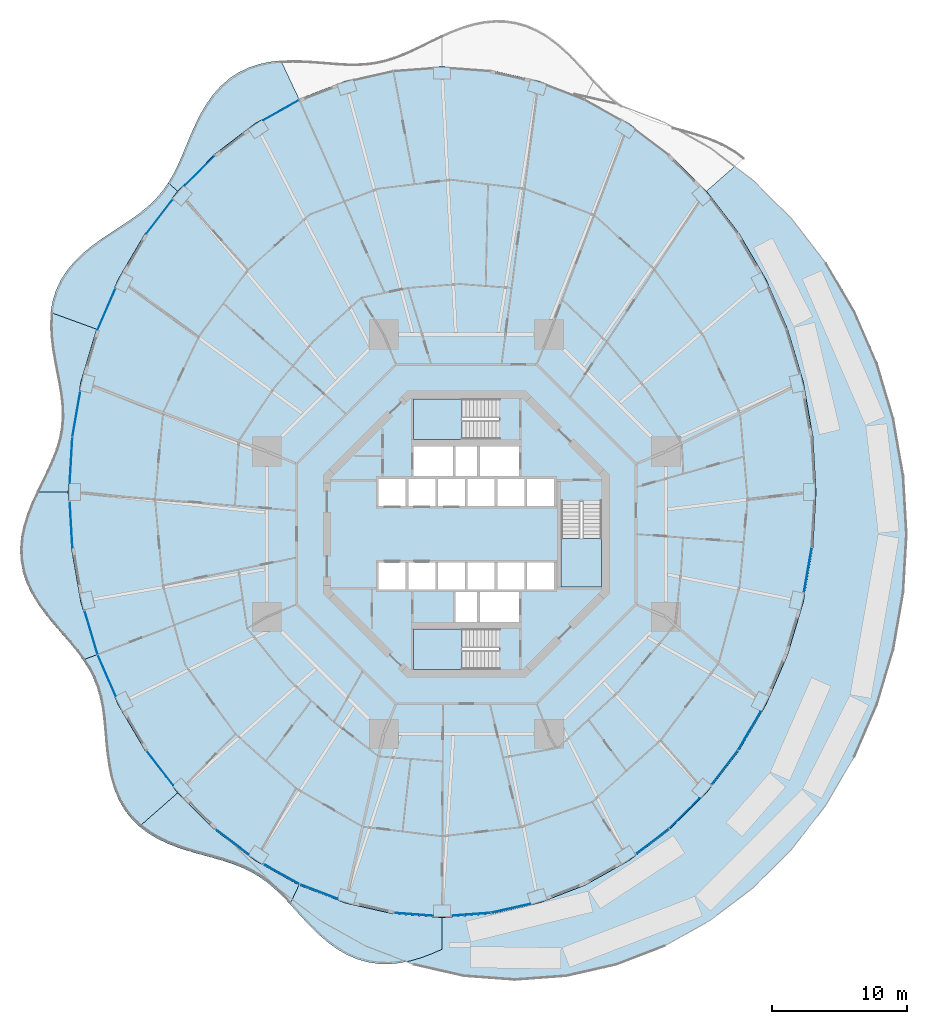
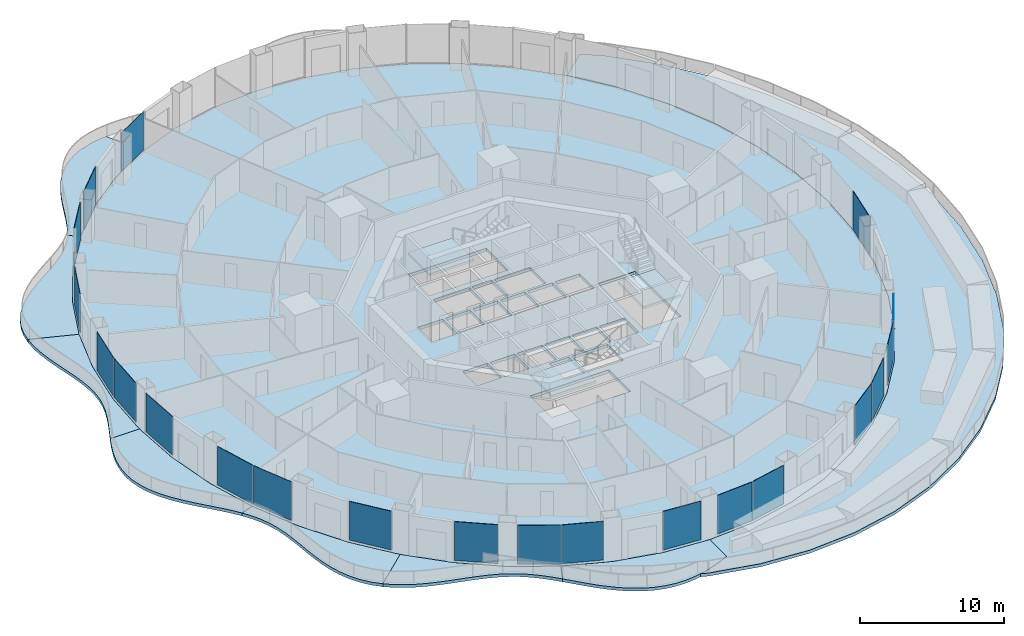
# One storey, part 12 of 22: 21 plates, 12 slabs, 24 elements without a shape of their own.
"""IFC4 building model written with IfcOpenShell, lengths in metres."""

from ifc_helpers import new_model, si_unit, direction, frame, origin, origin_2d, place, context, subcontext, project, spatial, polyline, rectangle, outline, extrude, material, layer, layer_set, type_object, element, aggregate, save


model = new_model("IFC4")

# Units and contexts
model_context = context("Model", 3, precision=1e-05, world=origin(), true_north=direction((0.0, 1.0)))
body_context = subcontext(model_context, "Body", "Model", "MODEL_VIEW")
ifc_project = project(units=[si_unit("LENGTHUNIT", "METRE"), si_unit("AREAUNIT", "SQUARE_METRE"), si_unit("VOLUMEUNIT", "CUBIC_METRE"), si_unit("PLANEANGLEUNIT", "RADIAN"), si_unit("MASSUNIT", "GRAM", prefix="KILO")], contexts=[model_context])

# Site, building, storey
site_placement = place(None, origin())
site = spatial("IfcSite", under=ifc_project, at=site_placement, CompositionType="ELEMENT")
building_placement = place(site_placement, origin())
building = spatial("IfcBuilding", under=site, at=building_placement, Name="Nagisa Residences", CompositionType="ELEMENT")
storey_placement = place(building_placement, frame((0.0, 0.0, 73.300048828125)))
storey = spatial("IfcBuildingStorey", under=building, at=storey_placement, Name="L17", CompositionType="ELEMENT", Elevation=73.300048828125)

# Slabs
ifc_material_1 = material(Name="Concrete C40/50", Category="concrete")
ifc_layer_1 = layer(ifc_material_1, 0.25)
ifc_layer_set_1 = layer_set([ifc_layer_1], Name="BALCONY SLAB 250")
slab_type_1 = type_object("IfcSlabType", Name="BALCONY SLAB 250", PredefinedType="FLOOR", material=ifc_layer_set_1)
slab_1_placement = place(storey_placement, frame((0.0, 0.0, -0.25)))
element("IfcSlab", 1, at=slab_1_placement, inside=storey, type_object=slab_type_1, Name="slab:L17:bal05", PredefinedType="FLOOR", context=body_context, shape_type="SweptSolid", body=[
    extrude(outline(polyline([(-13.7373046875, 35.074462890625), (-14.5791015625, 34.97509765625), (-15.394775390625, 34.796142578125), (-16.173095703125, 34.528564453125), (-16.90380859375, 34.1689453125), (-17.578857421875, 33.717529296875), (-18.19287109375, 33.179931640625), (-18.74365234375, 32.565185546875), (-19.23291015625, 31.885986328125), (-19.66552734375, 31.15771484375), (-20.050048828125, 30.396728515625), (-20.397705078125, 29.620361328125), (-20.7216796875, 28.844970703125), (-21.037109375, 28.085693359375), (-21.359130859375, 27.35498046875), (-21.702392578125, 26.66259765625), (-22.079833984375, 26.01416015625), (-21.38330078125, 25.402099609375), (-18.65966796875, 28.1201171875), (-15.6474609375, 30.410400390625), (-12.3984375, 32.233642578125), (-13.7373046875, 35.074462890625)])), origin(), (0.0, 0.0, 1.0), 0.25),
])
slab_2_placement = place(storey_placement, frame((0.0, 0.0, -0.25)))
element("IfcSlab", 2, at=slab_2_placement, inside=storey, type_object=slab_type_1, Name="slab:L17:bal06", PredefinedType="FLOOR", context=body_context, shape_type="SweptSolid", body=[
    extrude(outline(polyline([(-22.079833984375, 26.01416015625), (-22.5234375, 25.3837890625), (-23.023681640625, 24.802734375), (-23.583984375, 24.265380859375), (-24.2021484375, 23.7626953125), (-24.87109375, 23.28271484375), (-25.578857421875, 22.812255859375), (-26.309326171875, 22.337890625), (-27.04345703125, 21.845703125), (-27.76025390625, 21.32421875), (-28.438232421875, 20.763427734375), (-29.05712890625, 20.15673828125), (-29.599365234375, 19.50048828125), (-30.050048828125, 18.794189453125), (-30.400390625, 18.040771484375), (-30.646240234375, 17.24560546875), (-30.7890625, 16.41650390625), (-27.386962890625, 15.177978515625), (-25.78466796875, 18.875244140625), (-23.77197265625, 22.302734375), (-21.38330078125, 25.402099609375), (-22.079833984375, 26.01416015625)])), origin(), (0.0, 0.0, 1.0), 0.25),
])
slab_3_placement = place(storey_placement, frame((0.0, 0.0, -0.25)))
element("IfcSlab", 3, at=slab_3_placement, inside=storey, type_object=slab_type_1, Name="slab:L17:bal07", PredefinedType="FLOOR", context=body_context, shape_type="SweptSolid", body=[
    extrude(outline(polyline([(-30.7890625, 16.41650390625), (-30.837158203125, 15.53466796875), (-30.7978515625, 14.63720703125), (-30.69091796875, 13.73486328125), (-30.53955078125, 12.837158203125), (-30.368896484375, 11.9521484375), (-30.204833984375, 11.085693359375), (-30.0712890625, 10.24072265625), (-29.989501953125, 9.41796875), (-29.975830078125, 8.615234375), (-30.041259765625, 7.828857421875), (-30.189208984375, 7.052734375), (-30.4169921875, 6.281005859375), (-30.71484375, 5.5068359375), (-31.06640625, 4.724365234375), (-31.451416015625, 3.928955078125), (-31.844970703125, 3.11767578125), (-29.4951171875, 3.11767578125), (-29.258056640625, 7.231201171875), (-28.55126953125, 11.2744140625), (-27.386962890625, 15.177978515625), (-30.7890625, 16.41650390625)])), origin(), (0.0, 0.0, 1.0), 0.25),
])
slab_4_placement = place(storey_placement, frame((0.0, 0.0, -0.25)))
element("IfcSlab", 4, at=slab_4_placement, inside=storey, type_object=slab_type_1, Name="slab:L17:bal08", PredefinedType="FLOOR", context=body_context, shape_type="SweptSolid", body=[
    extrude(outline(polyline([(-31.844970703125, 3.11767578125), (-32.220947265625, 2.2900390625), (-32.55322265625, 1.447265625), (-32.817138671875, 0.593017578125), (-32.99169921875, -0.267333984375), (-33.061279296875, -1.127197265625), (-33.01611328125, -1.979248046875), (-32.852783203125, -2.816650390625), (-32.57568359375, -3.632568359375), (-32.195068359375, -4.4228515625), (-31.7275390625, -5.184326171875), (-31.194091796875, -5.9169921875), (-30.619140625, -6.623046875), (-30.0283203125, -7.3076171875), (-29.447021484375, -7.977783203125), (-28.89794921875, -8.642578125), (-28.401123046875, -9.311767578125), (-27.386962890625, -8.942626953125), (-28.55126953125, -5.0390625), (-29.258056640625, -0.995849609375), (-29.4951171875, 3.11767578125), (-31.844970703125, 3.11767578125)])), origin(), (0.0, 0.0, 1.0), 0.25),
])
slab_5_placement = place(storey_placement, frame((0.0, 0.0, -0.25)))
element("IfcSlab", 5, at=slab_5_placement, inside=storey, type_object=slab_type_1, Name="slab:L17:bal09", PredefinedType="FLOOR", context=body_context, shape_type="SweptSolid", body=[
    extrude(outline(polyline([(-28.401123046875, -9.311767578125), (-27.982421875, -9.973876953125), (-27.6337890625, -10.658203125), (-27.35693359375, -11.371337890625), (-27.1474609375, -12.117919921875), (-26.99658203125, -12.89990234375), (-26.889892578125, -13.71630859375), (-26.809814453125, -14.562255859375), (-26.735595703125, -15.430419921875), (-26.646484375, -16.31005859375), (-26.521240234375, -17.188720703125), (-26.34130859375, -18.051513671875), (-26.09033203125, -18.88427734375), (-25.7568359375, -19.672607421875), (-25.333740234375, -20.403564453125), (-24.819580078125, -21.0673828125), (-24.21728515625, -21.6572265625), (-21.38330078125, -19.166748046875), (-23.77197265625, -16.0673828125), (-25.78466796875, -12.639892578125), (-27.386962890625, -8.942626953125), (-28.401123046875, -9.311767578125)])), origin(), (0.0, 0.0, 1.0), 0.25),
])
slab_6_placement = place(storey_placement, frame((0.0, 0.0, -0.25)))
element("IfcSlab", 6, at=slab_6_placement, inside=storey, type_object=slab_type_1, Name="slab:L17:bal10", PredefinedType="FLOOR", context=body_context, shape_type="SweptSolid", body=[
    extrude(outline(polyline([(-24.21728515625, -21.6572265625), (-23.569091796875, -22.148193359375), (-22.859130859375, -22.57080078125), (-22.1005859375, -22.930419921875), (-21.30810546875, -23.2353515625), (-20.497802734375, -23.497314453125), (-19.6845703125, -23.730224609375), (-18.882568359375, -23.949951171875), (-18.103271484375, -24.172607421875), (-17.355712890625, -24.41357421875), (-16.645751953125, -24.6875), (-15.97509765625, -25.006103515625), (-15.342529296875, -25.37744140625), (-14.7431640625, -25.805908203125), (-14.170166015625, -26.291259765625), (-13.61376953125, -26.828857421875), (-13.063232421875, -27.4091796875), (-12.3984375, -25.998291015625), (-15.6474609375, -24.175048828125), (-18.65966796875, -21.884765625), (-21.38330078125, -19.166748046875), (-24.21728515625, -21.6572265625)])), origin(), (0.0, 0.0, 1.0), 0.25),
])
slab_7_placement = place(storey_placement, frame((0.0, 0.0, -0.25)))
element("IfcSlab", 7, at=slab_7_placement, inside=storey, type_object=slab_type_1, Name="slab:L17:bal11", PredefinedType="FLOOR", context=body_context, shape_type="SweptSolid", body=[
    extrude(outline(polyline([(-13.063232421875, -27.4091796875), (-12.528564453125, -27.996337890625), (-11.979736328125, -28.59619140625), (-11.408935546875, -29.19140625), (-10.8095703125, -29.763916015625), (-10.17724609375, -30.295654296875), (-9.510009765625, -30.769287109375), (-8.8076171875, -31.169189453125), (-8.073486328125, -31.483154296875), (-7.311767578125, -31.70263671875), (-6.529296875, -31.822509765625), (-5.73291015625, -31.843017578125), (-4.930908203125, -31.768310546875), (-4.13037109375, -31.607421875), (-3.33837890625, -31.372802734375), (-2.560302734375, -31.080078125), (-1.800048828125, -30.747314453125), (-1.800048828125, -28.397216796875), (-5.4150390625, -28.127685546875), (-8.968017578125, -27.323486328125), (-12.3984375, -25.998291015625), (-13.063232421875, -27.4091796875)])), origin(), (0.0, 0.0, 1.0), 0.25),
])

# Curtain wall, plate
ifc_material_2 = material(Name="Concrete-coloured aluminium curtain wall system", Category="concrete")
ifc_layer_2 = layer(ifc_material_2, 0.159912109375)
ifc_layer_set_2 = layer_set([ifc_layer_2], Name="CW1 CURTAIN WALL")
curtain_wall_type = type_object("IfcCurtainWallType", Name="CW1 CURTAIN WALL", PredefinedType="NOTDEFINED", material=ifc_layer_set_2)
curtain_wall_1_placement = place(storey_placement, origin())
curtain_wall_1 = element("IfcCurtainWall", 8, at=curtain_wall_1_placement, inside=storey, type_object=curtain_wall_type, Name="cw:CW1:L17:15", PredefinedType="NOTDEFINED")
ifc_material_3 = material(Name="Clear laminated glass", Category="glass")
ifc_layer_3 = layer(ifc_material_3, 0.028076171875)
ifc_layer_set_3 = layer_set([ifc_layer_3], Name="CW1 GLASS PANEL")
plate_type = type_object("IfcPlateType", Name="CW1 GLASS PANEL", PredefinedType="CURTAIN_PANEL", material=ifc_layer_set_3)
plate_1_placement = place(storey_placement, frame((-13.7265625, 31.396728515625, 0.14990234375), z_axis=(0.0, 0.0, 1.0), x_axis=(-0.872072377523, -0.489376918501, 0.0)))
plate_1 = element("IfcPlate", 9, at=plate_1_placement, type_object=plate_type, Name="CW1 panel", PredefinedType="CURTAIN_PANEL", context=body_context, shape_type="SweptSolid", body=[
    extrude(rectangle(XDim=3.015625, YDim=0.028076171875, at=origin_2d()), origin(), (0.0, 0.0, 1.0), 3.2900390625),
])
aggregate(curtain_wall_1, [plate_1])

curtain_wall_2_placement = place(storey_placement, origin())
curtain_wall_2 = element("IfcCurtainWall", 10, at=curtain_wall_2_placement, inside=storey, type_object=curtain_wall_type, Name="cw:CW1:L17:17", PredefinedType="NOTDEFINED")
plate_2_placement = place(storey_placement, frame((-19.756103515625, 26.912841796875, 0.14990234375), z_axis=(0.0, 0.0, 1.0), x_axis=(-0.707835924016, -0.706376885714, 0.0)))
plate_2 = element("IfcPlate", 11, at=plate_2_placement, type_object=plate_type, Name="CW1 panel", PredefinedType="CURTAIN_PANEL", context=body_context, shape_type="SweptSolid", body=[
    extrude(rectangle(XDim=3.137939453125, YDim=0.028076171875, at=origin_2d()), origin(), (0.0, 0.0, 1.0), 3.2900390625),
])
aggregate(curtain_wall_2, [plate_2])

curtain_wall_3_placement = place(storey_placement, origin())
curtain_wall_3 = element("IfcCurtainWall", 12, at=curtain_wall_3_placement, inside=storey, type_object=curtain_wall_type, Name="cw:CW1:L17:18", PredefinedType="NOTDEFINED")
plate_3_placement = place(storey_placement, frame((-22.73095703125, 23.5224609375, 0.14990234375), z_axis=(0.0, 0.0, 1.0), x_axis=(-0.610429828235, -0.792070340816, 0.0)))
plate_3 = element("IfcPlate", 13, at=plate_3_placement, type_object=plate_type, Name="CW1 panel", PredefinedType="CURTAIN_PANEL", context=body_context, shape_type="SweptSolid", body=[
    extrude(rectangle(XDim=3.202880859375, YDim=0.028076171875, at=origin_2d()), origin(), (0.0, 0.0, 1.0), 3.2900390625),
])
aggregate(curtain_wall_3, [plate_3])

curtain_wall_4_placement = place(storey_placement, origin())
curtain_wall_4 = element("IfcCurtainWall", 14, at=curtain_wall_4_placement, inside=storey, type_object=curtain_wall_type, Name="cw:CW1:L17:20", PredefinedType="NOTDEFINED")
plate_4_placement = place(storey_placement, frame((-26.653564453125, 16.6689453125, 0.14990234375), z_axis=(0.0, 0.0, 1.0), x_axis=(-0.397635934147, -0.917543276295, 0.0)))
plate_4 = element("IfcPlate", 15, at=plate_4_placement, type_object=plate_type, Name="CW1 panel", PredefinedType="CURTAIN_PANEL", context=body_context, shape_type="SweptSolid", body=[
    extrude(rectangle(XDim=3.319580078125, YDim=0.028076171875, at=origin_2d()), origin(), (0.0, 0.0, 1.0), 3.2900390625),
])
aggregate(curtain_wall_4, [plate_4])

curtain_wall_5_placement = place(storey_placement, origin())
curtain_wall_5 = element("IfcCurtainWall", 16, at=curtain_wall_5_placement, inside=storey, type_object=curtain_wall_type, Name="cw:CW1:L17:22", PredefinedType="NOTDEFINED")
plate_5_placement = place(storey_placement, frame((-28.886962890625, 8.889404296875, 0.14990234375), z_axis=(0.0, 0.0, 1.0), x_axis=(-0.172190868898, -0.985063604377, 0.0)))
plate_5 = element("IfcPlate", 17, at=plate_5_placement, type_object=plate_type, Name="CW1 panel", PredefinedType="CURTAIN_PANEL", context=body_context, shape_type="SweptSolid", body=[
    extrude(rectangle(XDim=3.39453125, YDim=0.028076171875, at=origin_2d()), origin(), (0.0, 0.0, 1.0), 3.2900390625),
])
aggregate(curtain_wall_5, [plate_5])

curtain_wall_6_placement = place(storey_placement, origin())
curtain_wall_6 = element("IfcCurtainWall", 18, at=curtain_wall_6_placement, inside=storey, type_object=curtain_wall_type, Name="cw:CW1:L17:23", PredefinedType="NOTDEFINED")
plate_6_placement = place(storey_placement, frame((-29.27978515625, 5.46435546875, 0.14990234375), z_axis=(0.0, 0.0, 1.0), x_axis=(-0.057503492216, -0.998345305184, 0.0)))
plate_6 = element("IfcPlate", 19, at=plate_6_placement, type_object=plate_type, Name="CW1 panel", PredefinedType="CURTAIN_PANEL", context=body_context, shape_type="SweptSolid", body=[
    extrude(rectangle(XDim=3.410400390625, YDim=0.028076171875, at=origin_2d()), origin(), (0.0, 0.0, 1.0), 3.2900390625),
])
aggregate(curtain_wall_6, [plate_6])

curtain_wall_7_placement = place(storey_placement, origin())
curtain_wall_7 = element("IfcCurtainWall", 20, at=curtain_wall_7_placement, inside=storey, type_object=curtain_wall_type, Name="cw:CW1:L17:24", PredefinedType="NOTDEFINED")
plate_7_placement = place(storey_placement, frame((-29.2763671875, 0.711181640625, 0.14990234375), z_axis=(0.0, 0.0, 1.0), x_axis=(0.057503492216, -0.998345305184, 0.0)))
plate_7 = element("IfcPlate", 21, at=plate_7_placement, type_object=plate_type, Name="CW1 panel", PredefinedType="CURTAIN_PANEL", context=body_context, shape_type="SweptSolid", body=[
    extrude(rectangle(XDim=3.410400390625, YDim=0.028076171875, at=origin_2d()), origin(), (0.0, 0.0, 1.0), 3.2900390625),
])
aggregate(curtain_wall_7, [plate_7])

curtain_wall_8_placement = place(storey_placement, origin())
curtain_wall_8 = element("IfcCurtainWall", 22, at=curtain_wall_8_placement, inside=storey, type_object=curtain_wall_type, Name="cw:CW1:L17:26", PredefinedType="NOTDEFINED")
plate_8_placement = place(storey_placement, frame((-27.791015625, -7.30810546875, 0.14990234375), z_axis=(0.0, 0.0, 1.0), x_axis=(0.285860274038, -0.958271310082, 0.0)))
plate_8 = element("IfcPlate", 23, at=plate_8_placement, type_object=plate_type, Name="CW1 panel", PredefinedType="CURTAIN_PANEL", context=body_context, shape_type="SweptSolid", body=[
    extrude(rectangle(XDim=3.363525390625, YDim=0.028076171875, at=origin_2d()), origin(), (0.0, 0.0, 1.0), 3.2900390625),
])
aggregate(curtain_wall_8, [plate_8])

curtain_wall_9_placement = place(storey_placement, origin())
curtain_wall_9 = element("IfcCurtainWall", 24, at=curtain_wall_9_placement, inside=storey, type_object=curtain_wall_type, Name="cw:CW1:L17:27", PredefinedType="NOTDEFINED")
plate_9_placement = place(storey_placement, frame((-26.629638671875, -10.48876953125, 0.14990234375), z_axis=(0.0, 0.0, 1.0), x_axis=(0.397635934147, -0.917543276295, 0.0)))
plate_9 = element("IfcPlate", 25, at=plate_9_placement, type_object=plate_type, Name="CW1 panel", PredefinedType="CURTAIN_PANEL", context=body_context, shape_type="SweptSolid", body=[
    extrude(rectangle(XDim=3.319580078125, YDim=0.028076171875, at=origin_2d()), origin(), (0.0, 0.0, 1.0), 3.2900390625),
])
aggregate(curtain_wall_9, [plate_9])

curtain_wall_10_placement = place(storey_placement, origin())
curtain_wall_10 = element("IfcCurtainWall", 26, at=curtain_wall_10_placement, inside=storey, type_object=curtain_wall_type, Name="cw:CW1:L17:29", PredefinedType="NOTDEFINED")
plate_10_placement = place(storey_placement, frame((-22.6943359375, -17.334716796875, 0.14990234375), z_axis=(0.0, 0.0, 1.0), x_axis=(0.610429828235, -0.792070340816, 0.0)))
plate_10 = element("IfcPlate", 27, at=plate_10_placement, type_object=plate_type, Name="CW1 panel", PredefinedType="CURTAIN_PANEL", context=body_context, shape_type="SweptSolid", body=[
    extrude(rectangle(XDim=3.202880859375, YDim=0.028076171875, at=origin_2d()), origin(), (0.0, 0.0, 1.0), 3.2900390625),
])
aggregate(curtain_wall_10, [plate_10])

curtain_wall_11_placement = place(storey_placement, origin())
curtain_wall_11 = element("IfcCurtainWall", 28, at=curtain_wall_11_placement, inside=storey, type_object=curtain_wall_type, Name="cw:CW1:L17:31", PredefinedType="NOTDEFINED")
plate_11_placement = place(storey_placement, frame((-17.340087890625, -22.787841796875, 0.14990234375), z_axis=(0.0, 0.0, 1.0), x_axis=(0.79603132756, -0.605255421737, 0.0)))
plate_11 = element("IfcPlate", 29, at=plate_11_placement, type_object=plate_type, Name="CW1 panel", PredefinedType="CURTAIN_PANEL", context=body_context, shape_type="SweptSolid", body=[
    extrude(rectangle(XDim=3.073974609375, YDim=0.028076171875, at=origin_2d()), origin(), (0.0, 0.0, 1.0), 3.2900390625),
])
aggregate(curtain_wall_11, [plate_11])

curtain_wall_12_placement = place(storey_placement, origin())
curtain_wall_12 = element("IfcCurtainWall", 30, at=curtain_wall_12_placement, inside=storey, type_object=curtain_wall_type, Name="cw:CW1:L17:32", PredefinedType="NOTDEFINED")
plate_12_placement = place(storey_placement, frame((-13.67431640625, -25.190673828125, 0.14990234375), z_axis=(0.0, 0.0, 1.0), x_axis=(0.872072377523, -0.489376918501, 0.0)))
plate_12 = element("IfcPlate", 31, at=plate_12_placement, type_object=plate_type, Name="CW1 panel", PredefinedType="CURTAIN_PANEL", context=body_context, shape_type="SweptSolid", body=[
    extrude(rectangle(XDim=3.015625, YDim=0.028076171875, at=origin_2d()), origin(), (0.0, 0.0, 1.0), 3.2900390625),
])
aggregate(curtain_wall_12, [plate_12])

curtain_wall_13_placement = place(storey_placement, origin())
curtain_wall_13 = element("IfcCurtainWall", 32, at=curtain_wall_13_placement, inside=storey, type_object=curtain_wall_type, Name="cw:CW1:L17:33", PredefinedType="NOTDEFINED")
plate_13_placement = place(storey_placement, frame((-10.929443359375, -26.47998046875, 0.14990234375), z_axis=(0.0, 0.0, 1.0), x_axis=(0.932825759707, -0.360327770268, 0.0)))
plate_13 = element("IfcPlate", 33, at=plate_13_placement, type_object=plate_type, Name="CW1 panel", PredefinedType="CURTAIN_PANEL", context=body_context, shape_type="SweptSolid", body=[
    extrude(rectangle(XDim=2.967529296875, YDim=0.028076171875, at=origin_2d()), origin(), (0.0, 0.0, 1.0), 3.2900390625),
])
aggregate(curtain_wall_13, [plate_13])

curtain_wall_14_placement = place(storey_placement, origin())
curtain_wall_14 = element("IfcCurtainWall", 34, at=curtain_wall_14_placement, inside=storey, type_object=curtain_wall_type, Name="cw:CW1:L17:35", PredefinedType="NOTDEFINED")
plate_14_placement = place(storey_placement, frame((-3.895751953125, -28.160888671875, 0.14990234375), z_axis=(0.0, 0.0, 1.0), x_axis=(0.997230168512, -0.074377355493, 0.0)))
plate_14 = element("IfcPlate", 35, at=plate_14_placement, type_object=plate_type, Name="CW1 panel", PredefinedType="CURTAIN_PANEL", context=body_context, shape_type="SweptSolid", body=[
    extrude(rectangle(XDim=2.9150390625, YDim=0.028076171875, at=origin_2d()), origin(), (0.0, 0.0, 1.0), 3.2900390625),
])
aggregate(curtain_wall_14, [plate_14])

curtain_wall_15_placement = place(storey_placement, origin())
curtain_wall_15 = element("IfcCurtainWall", 36, at=curtain_wall_15_placement, inside=storey, type_object=curtain_wall_type, Name="cw:CW1:L17:36", PredefinedType="NOTDEFINED")
plate_15_placement = place(storey_placement, frame((0.35546875, -28.15625, 0.14990234375), z_axis=(0.0, 0.0, 1.0), x_axis=(0.997230168512, 0.074377355493, 0.0)))
plate_15 = element("IfcPlate", 37, at=plate_15_placement, type_object=plate_type, Name="CW1 panel", PredefinedType="CURTAIN_PANEL", context=body_context, shape_type="SweptSolid", body=[
    extrude(rectangle(XDim=2.9150390625, YDim=0.028076171875, at=origin_2d()), origin(), (0.0, 0.0, 1.0), 3.2900390625),
])
aggregate(curtain_wall_15, [plate_15])

curtain_wall_16_placement = place(storey_placement, origin())
curtain_wall_16 = element("IfcCurtainWall", 38, at=curtain_wall_16_placement, inside=storey, type_object=curtain_wall_type, Name="cw:CW1:L17:37", PredefinedType="NOTDEFINED")
plate_16_placement = place(storey_placement, frame((3.2861328125, -27.712646484375, 0.14990234375), z_axis=(0.0, 0.0, 1.0), x_axis=(0.975327274089, 0.2207639201, 0.0)))
plate_16 = element("IfcPlate", 39, at=plate_16_placement, type_object=plate_type, Name="CW1 panel", PredefinedType="CURTAIN_PANEL", context=body_context, shape_type="SweptSolid", body=[
    extrude(rectangle(XDim=2.932861328125, YDim=0.028076171875, at=origin_2d()), origin(), (0.0, 0.0, 1.0), 3.2900390625),
])
aggregate(curtain_wall_16, [plate_16])

curtain_wall_17_placement = place(storey_placement, origin())
curtain_wall_17 = element("IfcCurtainWall", 40, at=curtain_wall_17_placement, inside=storey, type_object=curtain_wall_type, Name="cw:CW1:L17:40", PredefinedType="NOTDEFINED")
plate_17_placement = place(storey_placement, frame((13.787841796875, -22.75146484375, 0.14990234375), z_axis=(0.0, 0.0, 1.0), x_axis=(0.79603132756, 0.605255421737, 0.0)))
plate_17 = element("IfcPlate", 41, at=plate_17_placement, type_object=plate_type, Name="CW1 panel", PredefinedType="CURTAIN_PANEL", context=body_context, shape_type="SweptSolid", body=[
    extrude(rectangle(XDim=3.073974609375, YDim=0.028076171875, at=origin_2d()), origin(), (0.0, 0.0, 1.0), 3.2900390625),
])
aggregate(curtain_wall_17, [plate_17])

curtain_wall_18_placement = place(storey_placement, origin())
curtain_wall_18 = element("IfcCurtainWall", 42, at=curtain_wall_18_placement, inside=storey, type_object=curtain_wall_type, Name="cw:CW1:L17:41", PredefinedType="NOTDEFINED")
plate_18_placement = place(storey_placement, frame((16.15625, -20.677490234375, 0.14990234375), z_axis=(0.0, 0.0, 1.0), x_axis=(0.707835924016, 0.706376885714, 0.0)))
plate_18 = element("IfcPlate", 43, at=plate_18_placement, type_object=plate_type, Name="CW1 panel", PredefinedType="CURTAIN_PANEL", context=body_context, shape_type="SweptSolid", body=[
    extrude(rectangle(XDim=3.137939453125, YDim=0.028076171875, at=origin_2d()), origin(), (0.0, 0.0, 1.0), 3.2900390625),
])
aggregate(curtain_wall_18, [plate_18])

curtain_wall_19_placement = place(storey_placement, origin())
curtain_wall_19 = element("IfcCurtainWall", 44, at=curtain_wall_19_placement, inside=storey, type_object=curtain_wall_type, Name="cw:CW1:L17:42", PredefinedType="NOTDEFINED")
plate_19_placement = place(storey_placement, frame((19.130859375, -17.287109375, 0.14990234375), z_axis=(0.0, 0.0, 1.0), x_axis=(0.610429828235, 0.792070340816, 0.0)))
plate_19 = element("IfcPlate", 45, at=plate_19_placement, type_object=plate_type, Name="CW1 panel", PredefinedType="CURTAIN_PANEL", context=body_context, shape_type="SweptSolid", body=[
    extrude(rectangle(XDim=3.202880859375, YDim=0.028076171875, at=origin_2d()), origin(), (0.0, 0.0, 1.0), 3.2900390625),
])
aggregate(curtain_wall_19, [plate_19])

curtain_wall_20_placement = place(storey_placement, origin())
curtain_wall_20 = element("IfcCurtainWall", 46, at=curtain_wall_20_placement, inside=storey, type_object=curtain_wall_type, Name="cw:CW1:L17:43", PredefinedType="NOTDEFINED")
plate_20_placement = place(storey_placement, frame((20.9599609375, -14.5673828125, 0.14990234375), z_axis=(0.0, 0.0, 1.0), x_axis=(0.506348567002, 0.862328898214, 0.0)))
plate_20 = element("IfcPlate", 47, at=plate_20_placement, type_object=plate_type, Name="CW1 panel", PredefinedType="CURTAIN_PANEL", context=body_context, shape_type="SweptSolid", body=[
    extrude(rectangle(XDim=3.264892578125, YDim=0.028076171875, at=origin_2d()), origin(), (0.0, 0.0, 1.0), 3.2900390625),
])
aggregate(curtain_wall_20, [plate_20])

curtain_wall_21_placement = place(storey_placement, origin())
curtain_wall_21 = element("IfcCurtainWall", 48, at=curtain_wall_21_placement, inside=storey, type_object=curtain_wall_type, Name="cw:CW1:L17:46", PredefinedType="NOTDEFINED")
plate_21_placement = place(storey_placement, frame((25.287109375, -2.654052734375, 0.14990234375), z_axis=(0.0, 0.0, 1.0), x_axis=(0.172190868898, 0.985063604377, 0.0)))
plate_21 = element("IfcPlate", 49, at=plate_21_placement, type_object=plate_type, Name="CW1 panel", PredefinedType="CURTAIN_PANEL", context=body_context, shape_type="SweptSolid", body=[
    extrude(rectangle(XDim=3.39453125, YDim=0.028076171875, at=origin_2d()), origin(), (0.0, 0.0, 1.0), 3.2900390625),
])
aggregate(curtain_wall_21, [plate_21])

# Slabs
ifc_material_4 = material(Name="Concrete C40", Category="concrete")
ifc_layer_4 = layer(ifc_material_4, 0.260009765625)
ifc_layer_set_4 = layer_set([ifc_layer_4], Name="Floor slab 260")
slab_type_2 = type_object("IfcSlabType", Name="Floor slab 260", PredefinedType="FLOOR", material=ifc_layer_set_4)
slab_8_placement = place(storey_placement, frame((0.0, 0.0, -0.260009765625)))
element("IfcSlab", 50, at=slab_8_placement, inside=storey, type_object=slab_type_2, Name="slab:L17:floor", PredefinedType="FLOOR", context=body_context, shape_type="SweptSolid", body=[
    extrude(outline(polyline([(25.89501953125, 3.11767578125), (25.657958984375, 7.231201171875), (24.951416015625, 11.2744140625), (23.786865234375, 15.177978515625), (22.1845703125, 18.875244140625), (20.171875, 22.302734375), (17.783203125, 25.402099609375), (15.0595703125, 28.1201171875), (12.047607421875, 30.410400390625), (8.79833984375, 32.233642578125), (5.367919921875, 33.558837890625), (1.81494140625, 34.363037109375), (-1.800048828125, 34.6328125), (-5.4150390625, 34.363037109375), (-8.968017578125, 33.558837890625), (-12.3984375, 32.233642578125), (-15.6474609375, 30.410400390625), (-18.65966796875, 28.1201171875), (-21.38330078125, 25.402099609375), (-23.77197265625, 22.302734375), (-25.78466796875, 18.875244140625), (-27.386962890625, 15.177978515625), (-28.55126953125, 11.2744140625), (-29.258056640625, 7.231201171875), (-29.4951171875, 3.11767578125), (-29.258056640625, -0.995849609375), (-28.55126953125, -5.0390625), (-27.386962890625, -8.942626953125), (-25.78466796875, -12.639892578125), (-23.77197265625, -16.0673828125), (-21.38330078125, -19.166748046875), (-18.65966796875, -21.884765625), (-15.6474609375, -24.175048828125), (-12.3984375, -25.998291015625), (-8.968017578125, -27.323486328125), (-5.4150390625, -28.127685546875), (-1.800048828125, -28.397216796875), (1.81494140625, -28.127685546875), (5.367919921875, -27.323486328125), (8.79833984375, -25.998291015625), (12.047607421875, -24.175048828125), (15.0595703125, -21.884765625), (17.783203125, -19.166748046875), (20.171875, -16.0673828125), (22.1845703125, -12.639892578125), (23.786865234375, -8.942626953125), (24.951416015625, -5.0390625), (25.657958984375, -0.995849609375), (25.89501953125, 3.11767578125)]), holes=[polyline([(-4.5, 2.10009765625), (-4.5, 4.10009765625), (-6.5, 4.10009765625), (-6.5, 2.10009765625), (-4.5, 2.10009765625)]), polyline([(-2.300048828125, 2.10009765625), (-2.300048828125, 4.10009765625), (-4.300048828125, 4.10009765625), (-4.300048828125, 2.10009765625), (-2.300048828125, 2.10009765625)]), polyline([(-0.10009765625, 2.10009765625), (-0.10009765625, 4.10009765625), (-2.10009765625, 4.10009765625), (-2.10009765625, 2.10009765625), (-0.10009765625, 2.10009765625)]), polyline([(2.10009765625, 2.10009765625), (2.10009765625, 4.10009765625), (0.10009765625, 4.10009765625), (0.10009765625, 2.10009765625), (2.10009765625, 2.10009765625)]), polyline([(4.300048828125, 2.10009765625), (4.300048828125, 4.10009765625), (2.300048828125, 4.10009765625), (2.300048828125, 2.10009765625), (4.300048828125, 2.10009765625)]), polyline([(6.5, 2.10009765625), (6.5, 4.10009765625), (4.5, 4.10009765625), (4.5, 2.10009765625), (6.5, 2.10009765625)]), polyline([(-4.5, -4.10009765625), (-4.5, -2.10009765625), (-6.5, -2.10009765625), (-6.5, -4.10009765625), (-4.5, -4.10009765625)]), polyline([(-2.300048828125, -4.10009765625), (-2.300048828125, -2.10009765625), (-4.300048828125, -2.10009765625), (-4.300048828125, -4.10009765625), (-2.300048828125, -4.10009765625)]), polyline([(-0.10009765625, -4.10009765625), (-0.10009765625, -2.10009765625), (-2.10009765625, -2.10009765625), (-2.10009765625, -4.10009765625), (-0.10009765625, -4.10009765625)]), polyline([(2.10009765625, -4.10009765625), (2.10009765625, -2.10009765625), (0.10009765625, -2.10009765625), (0.10009765625, -4.10009765625), (2.10009765625, -4.10009765625)]), polyline([(4.300048828125, -4.10009765625), (4.300048828125, -2.10009765625), (2.300048828125, -2.10009765625), (2.300048828125, -4.10009765625), (4.300048828125, -4.10009765625)]), polyline([(6.5, -4.10009765625), (6.5, -2.10009765625), (4.5, -2.10009765625), (4.5, -4.10009765625), (6.5, -4.10009765625)]), polyline([(3.89990234375, 4.300048828125), (3.89990234375, 6.5), (1.0, 6.5), (1.0, 4.300048828125), (3.89990234375, 4.300048828125)]), polyline([(3.89990234375, -6.5), (3.89990234375, -4.300048828125), (1.0, -4.300048828125), (1.0, -6.5), (3.89990234375, -6.5)]), polyline([(-1.0, 4.300048828125), (-1.0, 6.5), (-3.89990234375, 6.5), (-3.89990234375, 4.300048828125), (-1.0, 4.300048828125)]), polyline([(0.800048828125, 4.300048828125), (0.800048828125, 6.5), (-0.800048828125, 6.5), (-0.800048828125, 4.300048828125), (0.800048828125, 4.300048828125)]), polyline([(0.800048828125, -6.5), (0.800048828125, -4.300048828125), (-0.800048828125, -4.300048828125), (-0.800048828125, -6.5), (0.800048828125, -6.5)]), polyline([(10.024658203125, -3.89990234375), (7.024658203125, -3.89990234375), (7.024658203125, 2.425048828125), (10.024658203125, 2.425048828125), (10.024658203125, -3.89990234375)]), polyline([(-3.89990234375, 7.024658203125), (-3.89990234375, 10.024658203125), (2.425048828125, 10.024658203125), (2.425048828125, 7.024658203125), (-3.89990234375, 7.024658203125)]), polyline([(-3.89990234375, -10.024658203125), (-3.89990234375, -7.024658203125), (2.425048828125, -7.024658203125), (2.425048828125, -10.024658203125), (-3.89990234375, -10.024658203125)])]), origin(), (0.0, 0.0, 1.0), 0.260009765625),
])
ifc_material_5 = material(Name="Concrete C40/50", Category="concrete")
ifc_layer_5 = layer(ifc_material_5, 0.260009765625)
ifc_layer_set_5 = layer_set([ifc_layer_5], Name="SKY GARDEN ROOF SLAB 260")
slab_type_3 = type_object("IfcSlabType", Name="SKY GARDEN ROOF SLAB 260", PredefinedType="ROOF", material=ifc_layer_set_5)
slab_9_placement = place(storey_placement, frame((0.0, 0.0, -0.260009765625)))
element("IfcSlab", 51, at=slab_9_placement, inside=storey, type_object=slab_type_3, Name="slab:L17:garden0", PredefinedType="ROOF", context=body_context, shape_type="SweptSolid", body=[
    extrude(outline(polyline([(31.61181640625, -8.541015625), (32.351806640625, -4.307373046875), (32.60009765625, 0.0), (32.351806640625, 4.307373046875), (31.61181640625, 8.541015625), (30.392578125, 12.628662109375), (28.71484375, 16.5), (26.607177734375, 20.089111328125), (24.106201171875, 23.33447265625), (21.254150390625, 26.1806640625), (19.8681640625, 27.234375), (17.783203125, 25.402099609375), (20.171875, 22.302734375), (22.1845703125, 18.875244140625), (23.786865234375, 15.177978515625), (24.951416015625, 11.2744140625), (25.657958984375, 7.231201171875), (25.89501953125, 3.11767578125), (25.657958984375, -0.995849609375), (24.951416015625, -5.0390625), (23.786865234375, -8.942626953125), (22.1845703125, -12.639892578125), (20.171875, -16.0673828125), (17.783203125, -19.166748046875), (15.0595703125, -21.884765625), (12.047607421875, -24.175048828125), (8.79833984375, -25.998291015625), (5.367919921875, -27.323486328125), (1.81494140625, -28.127685546875), (-1.800048828125, -28.397216796875), (-1.800048828125, -30.747314453125), (-2.560302734375, -31.080078125), (-3.33837890625, -31.372802734375), (-4.13037109375, -31.607421875), (-4.439208984375, -31.66943359375), (-3.90576171875, -31.87548828125), (-0.185302734375, -32.7177734375), (3.60009765625, -33.0), (7.38525390625, -32.7177734375), (11.105712890625, -31.87548828125), (14.69775390625, -30.488037109375), (18.10009765625, -28.578857421875), (21.254150390625, -26.1806640625), (24.106201171875, -23.33447265625), (26.607177734375, -20.089111328125), (28.71484375, -16.5), (30.392578125, -12.628662109375), (31.61181640625, -8.541015625)])), origin(), (0.0, 0.0, 1.0), 0.260009765625),
])

# Stair, slab
ifc_material_6 = material(Name="Concrete C60", Category="concrete")
stair_type = type_object("IfcStairType", Name="Exit stair", PredefinedType="HALF_TURN_STAIR", material=ifc_material_6)
stair_1_placement = place(storey_placement, origin())
stair_1 = element("IfcStair", 52, at=stair_1_placement, inside=storey, type_object=stair_type, Name="L17 Exit stair E", PredefinedType="HALF_TURN_STAIR")
ifc_material_7 = material(Name="Concrete C60", Category="concrete")
ifc_layer_6 = layer(ifc_material_7, 0.199951171875)
ifc_layer_set_6 = layer_set([ifc_layer_6], Name="Stair landing")
slab_type_4 = type_object("IfcSlabType", Name="Stair landing", PredefinedType="LANDING", material=ifc_layer_set_6)
slab_10_placement = place(storey_placement, frame((0.0, 0.0, 1.64990234375)))
slab_10 = element("IfcSlab", 53, at=slab_10_placement, type_object=slab_type_4, Name="ST-E landing 1", PredefinedType="LANDING", context=body_context, shape_type="SweptSolid", body=[
    extrude(outline(polyline([(7.024658203125, -0.324951171875), (7.024658203125, -3.89990234375), (10.024658203125, -3.89990234375), (10.024658203125, -0.324951171875), (7.024658203125, -0.324951171875)])), origin(), (0.0, 0.0, 1.0), 0.199951171875),
])
aggregate(stair_1, [slab_10])

stair_2_placement = place(storey_placement, origin())
stair_2 = element("IfcStair", 54, at=stair_2_placement, inside=storey, type_object=stair_type, Name="L17 Exit stair N", PredefinedType="HALF_TURN_STAIR")
slab_11_placement = place(storey_placement, frame((0.0, 0.0, 1.64990234375)))
slab_11 = element("IfcSlab", 55, at=slab_11_placement, type_object=slab_type_4, Name="ST-N landing 1", PredefinedType="LANDING", context=body_context, shape_type="SweptSolid", body=[
    extrude(outline(polyline([(-0.324951171875, 10.024658203125), (-3.89990234375, 10.024658203125), (-3.89990234375, 7.024658203125), (-0.324951171875, 7.024658203125), (-0.324951171875, 10.024658203125)])), origin(), (0.0, 0.0, 1.0), 0.199951171875),
])
aggregate(stair_2, [slab_11])

stair_3_placement = place(storey_placement, origin())
stair_3 = element("IfcStair", 56, at=stair_3_placement, inside=storey, type_object=stair_type, Name="L17 Exit stair S", PredefinedType="HALF_TURN_STAIR")
slab_12_placement = place(storey_placement, frame((0.0, 0.0, 1.64990234375)))
slab_12 = element("IfcSlab", 57, at=slab_12_placement, type_object=slab_type_4, Name="ST-S landing 1", PredefinedType="LANDING", context=body_context, shape_type="SweptSolid", body=[
    extrude(outline(polyline([(-0.324951171875, -7.024658203125), (-3.89990234375, -7.024658203125), (-3.89990234375, -10.024658203125), (-0.324951171875, -10.024658203125), (-0.324951171875, -7.024658203125)])), origin(), (0.0, 0.0, 1.0), 0.199951171875),
])
aggregate(stair_3, [slab_12])

save(model, "model.ifc")
